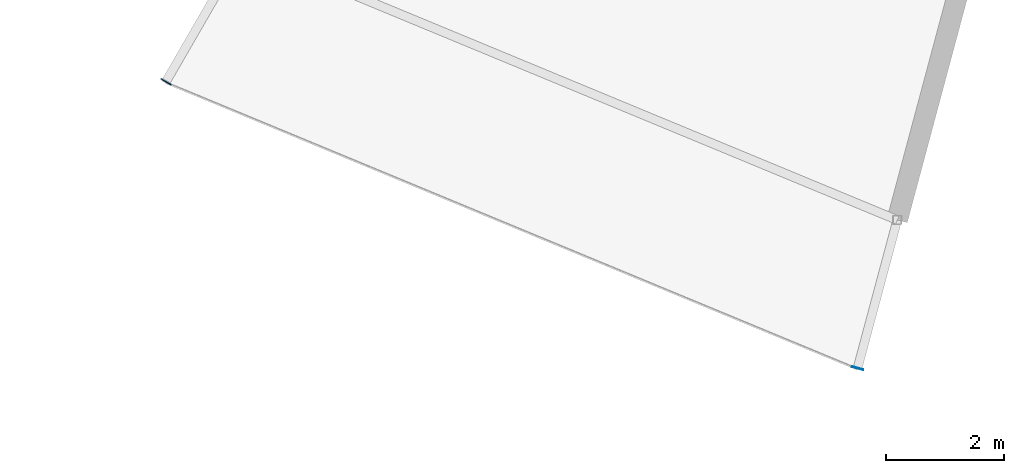
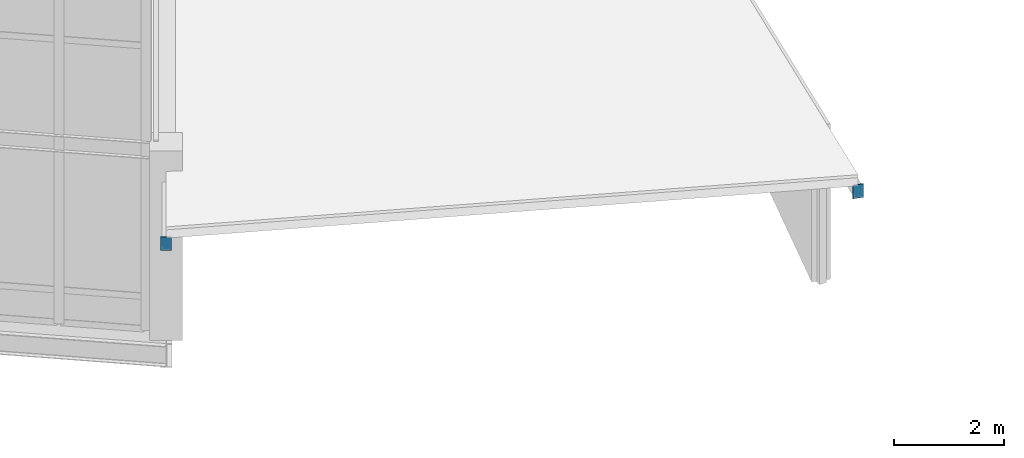
# One storey, part 149 of 185: 2 plates.
"""IFC4 building model written with IfcOpenShell, lengths in metres."""

from ifc_helpers import new_model, si_unit, direction, frame, origin, origin_2d, place, context, subcontext, project, spatial, rectangle, extrude, material, layer, layer_set, type_object, element, save


model = new_model("IFC4")

# Units and contexts
model_context = context("Model", 3, precision=1e-05, world=origin(), true_north=direction((0.0, 1.0)))
body_context = subcontext(model_context, "Body", "Model", "MODEL_VIEW")
ifc_project = project(units=[si_unit("LENGTHUNIT", "METRE"), si_unit("AREAUNIT", "SQUARE_METRE"), si_unit("VOLUMEUNIT", "CUBIC_METRE"), si_unit("PLANEANGLEUNIT", "RADIAN"), si_unit("MASSUNIT", "GRAM", prefix="KILO")], contexts=[model_context])

# Site, building, storey
site_placement = place(None, origin())
site = spatial("IfcSite", under=ifc_project, at=site_placement, CompositionType="ELEMENT")
building_placement = place(site_placement, origin())
building = spatial("IfcBuilding", under=site, at=building_placement, Name="Vondelvale Polytechnic", CompositionType="ELEMENT")
storey_placement = place(building_placement, frame((0.0, 0.0, 9.60009765625)))
storey = spatial("IfcBuildingStorey", under=building, at=storey_placement, Name="L02", CompositionType="ELEMENT", Elevation=9.60009765625)

# Plates
ifc_material = material(Name="Steel Grade 350 (fy = 340 MPa)", Category="steel")
ifc_layer = layer(ifc_material, 0.01611328125)
ifc_layer_set = layer_set([ifc_layer], Name="PLATE-CAP-300x200")
plate_type = type_object("IfcPlateType", Name="PLATE-CAP-300x200", PredefinedType="USERDEFINED", material=ifc_layer_set)
for number, where, z_axis, x_axis, name in (
    (1, (77.699951171875, 29.9111328125, 3.61572265625), (0.0, 0.0, 1.0), (0.5, 0.866025403784, 0.0), "Ring rafter hollow end cap plate 16O"),
    (2, (89.42138671875, 25.055908203125, 3.61572265625), (0.0, 0.0, 1.0), (0.258819045103, 0.965925826289, 0.0), "Ring step rafter end cap plate 16O"),
):
    element("IfcPlate", number, at=place(storey_placement, frame(where, z_axis=z_axis, x_axis=x_axis)), inside=storey, type_object=plate_type, Name=name, ObjectType="CAP_PLATE", PredefinedType="USERDEFINED", context=body_context, shape_type="SweptSolid", body=[
        extrude(rectangle(XDim=0.01611328125, YDim=0.199951171875, at=origin_2d()), origin(), (0.0, 0.0, 1.0), 0.300048828125),
    ])

save(model, "model.ifc")
